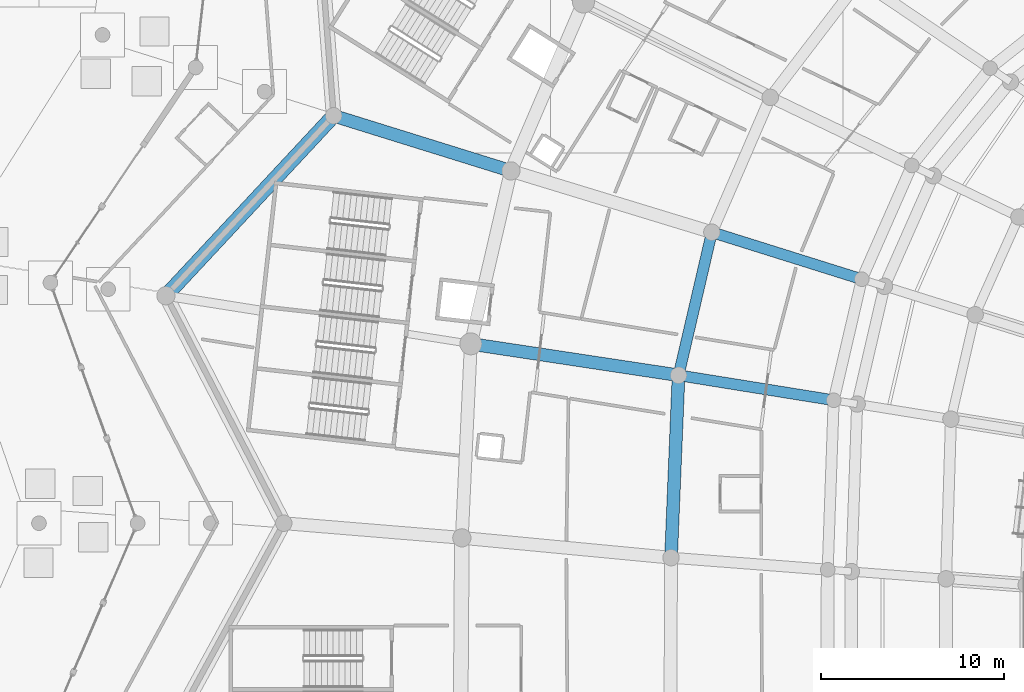
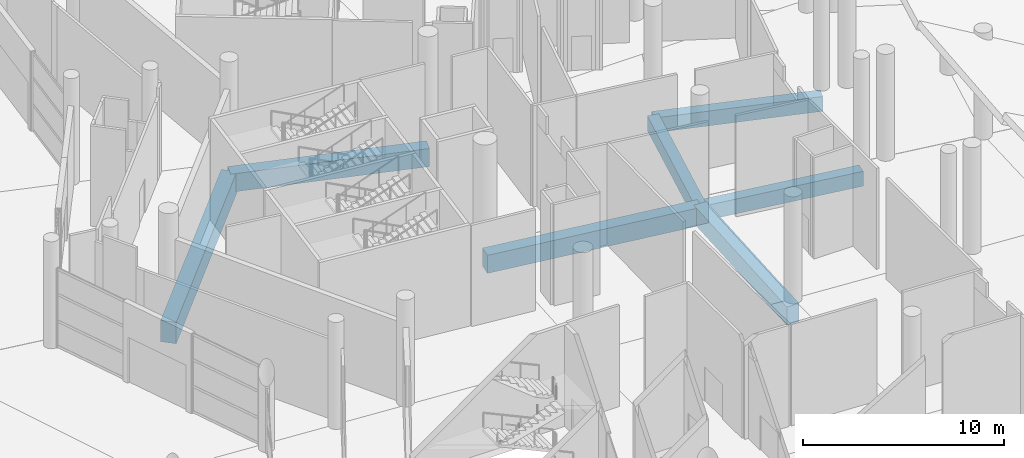
# One storey, part 45 of 255: 7 beams.
"""IFC4 building model written with IfcOpenShell, lengths in metres."""

from ifc_helpers import new_model, si_unit, direction, frame, origin, origin_2d, place, context, subcontext, project, spatial, rectangle, extrude, material, material_profile, profile_set, type_object, element, save


model = new_model("IFC4")

# Units and contexts
model_context = context("Model", 3, precision=1e-05, world=origin(), true_north=direction((0.0, 1.0)))
body_context = subcontext(model_context, "Body", "Model", "MODEL_VIEW")
ifc_project = project(units=[si_unit("LENGTHUNIT", "METRE"), si_unit("AREAUNIT", "SQUARE_METRE"), si_unit("VOLUMEUNIT", "CUBIC_METRE"), si_unit("PLANEANGLEUNIT", "RADIAN"), si_unit("MASSUNIT", "GRAM", prefix="KILO")], contexts=[model_context])

# Site, building, storey
site_placement = place(None, origin())
site = spatial("IfcSite", under=ifc_project, at=site_placement, CompositionType="ELEMENT")
building_placement = place(site_placement, origin())
building = spatial("IfcBuilding", under=site, at=building_placement, Name="Meseta Stadium", CompositionType="ELEMENT")
storey_placement = place(building_placement, origin())
storey = spatial("IfcBuildingStorey", under=building, at=storey_placement, Name="L00", CompositionType="ELEMENT", Elevation=0.0)

# Beams
ifc_material_1 = material(Name="Concrete C40/50", Category="concrete")
ifc_material_profile_1 = material_profile(ifc_material_1, rectangle(XDim=0.60009765625, YDim=0.89990234375, at=origin_2d()), Name="RC 600x900")
ifc_profile_set_1 = profile_set([ifc_material_profile_1], Name="Concrete C40/50")
beam_type_1 = type_object("IfcBeamType", Name="RC beam 600x900", PredefinedType="BEAM", material=ifc_profile_set_1)
beam_1_placement = place(storey_placement, frame((-71.169677734375, 59.67724609375, -0.85009765625), z_axis=(-0.226697740265, -0.973965160855, 0.0), x_axis=(0.973965160855, -0.226697740265, 0.0)))
element("IfcBeam", 1, at=beam_1_placement, inside=storey, type_object=beam_type_1, Name="L00 ring beam frame 27 line E", PredefinedType="BEAM", context=body_context, shape_type="SweptSolid", body=[
    extrude(rectangle(XDim=0.60009765625, YDim=0.89990234375, at=origin_2d()), origin(), (0.0, 0.0, 1.0), 8.039306640625),
])
for number, where, z_axis, x_axis, name in (
    (2, (-62.963623046875, 57.1044921875, -0.85009765625), (-0.9542027514, 0.299160674588, 0.0), (-0.299160674588, -0.9542027514, 0.0), "L00 radial beam frame 27 line D to E"),
    (3, (-64.501708984375, 50.479736328125, -0.85009765625), (-0.987277660392, 0.159005727229, 0.0), (-0.159005727229, -0.987277660392, 0.0), "L00 radial beam frame 28 line D to E"),
):
    element("IfcBeam", number, at=place(storey_placement, frame(where, z_axis=z_axis, x_axis=x_axis)), inside=storey, type_object=beam_type_1, Name=name, PredefinedType="BEAM", context=body_context, shape_type="SweptSolid", body=[
        extrude(rectangle(XDim=0.60009765625, YDim=0.89990234375, at=origin_2d()), origin(), (0.0, 0.0, 1.0), 8.599853515625),
    ])
ifc_material_2 = material(Name="Concrete C40/50", Category="concrete")
ifc_material_profile_2 = material_profile(ifc_material_2, rectangle(XDim=0.699951171875, YDim=1.10009765625, at=origin_2d()), Name="RC 700x1100")
ifc_profile_set_2 = profile_set([ifc_material_profile_2], Name="Concrete C40/50")
beam_type_2 = type_object("IfcBeamType", Name="RC beam 700x1100", PredefinedType="BEAM", material=ifc_profile_set_2)
beam_2_placement = place(storey_placement, frame((-72.9921875, 51.84716796875, -0.949951171875), z_axis=(-0.041287079546, -0.999147325004, 0.0), x_axis=(0.999147325004, -0.041287079546, 0.0)))
element("IfcBeam", 4, at=beam_2_placement, inside=storey, type_object=beam_type_2, Name="L00 ring beam frame 28 line E", PredefinedType="BEAM", context=body_context, shape_type="SweptSolid", body=[
    extrude(rectangle(XDim=0.699951171875, YDim=1.10009765625, at=origin_2d()), origin(), (0.0, 0.0, 1.0), 9.993408203125),
])
beam_3_placement = place(storey_placement, frame((-82.169189453125, 63.03369140625, -0.949951171875), z_axis=(-0.954886907796, 0.296969684176, 0.0), x_axis=(-0.296969684176, -0.954886907796, 0.0)))
element("IfcBeam", 5, at=beam_3_placement, inside=storey, type_object=beam_type_2, Name="L00 radial beam frame 27 line P to R", PredefinedType="BEAM", context=body_context, shape_type="SweptSolid", body=[
    extrude(rectangle(XDim=0.699951171875, YDim=1.10009765625, at=origin_2d()), origin(), (0.0, 0.0, 1.0), 10.162109375),
])
beam_4_placement = place(storey_placement, frame((-72.9921875, 51.84716796875, -0.949951171875), z_axis=(-0.988775073655, 0.149411692039, 0.0), x_axis=(-0.149411692039, -0.988775073655, 0.0)))
element("IfcBeam", 6, at=beam_4_placement, inside=storey, type_object=beam_type_2, Name="L00 radial beam frame 28 line E to P", PredefinedType="BEAM", context=body_context, shape_type="SweptSolid", body=[
    extrude(rectangle(XDim=0.699951171875, YDim=1.10009765625, at=origin_2d()), origin(), (0.0, 0.0, 1.0), 11.500244140625),
])
ifc_material_3 = material(Name="Concrete C40/50", Category="concrete")
ifc_material_profile_3 = material_profile(ifc_material_3, rectangle(XDim=0.800048828125, YDim=1.300048828125, at=origin_2d()), Name="RC 800x1300")
ifc_profile_set_3 = profile_set([ifc_material_profile_3], Name="Concrete C40/50")
beam_type_3 = type_object("IfcBeamType", Name="RC beam 800x1300", PredefinedType="BEAM", material=ifc_profile_set_3)
beam_5_placement = place(storey_placement, frame((-91.872802734375, 66.051513671875, -1.050048828125), z_axis=(-0.681797952889, -0.73154053301, 0.0), x_axis=(0.73154053301, -0.681797952889, 0.0)))
element("IfcBeam", 7, at=beam_5_placement, inside=storey, type_object=beam_type_3, Name="L00 ring beam frame 27 line R", PredefinedType="BEAM", context=body_context, shape_type="SweptSolid", body=[
    extrude(rectangle(XDim=0.800048828125, YDim=1.300048828125, at=origin_2d()), origin(), (0.0, 0.0, 1.0), 13.462890625),
])

save(model, "model.ifc")
